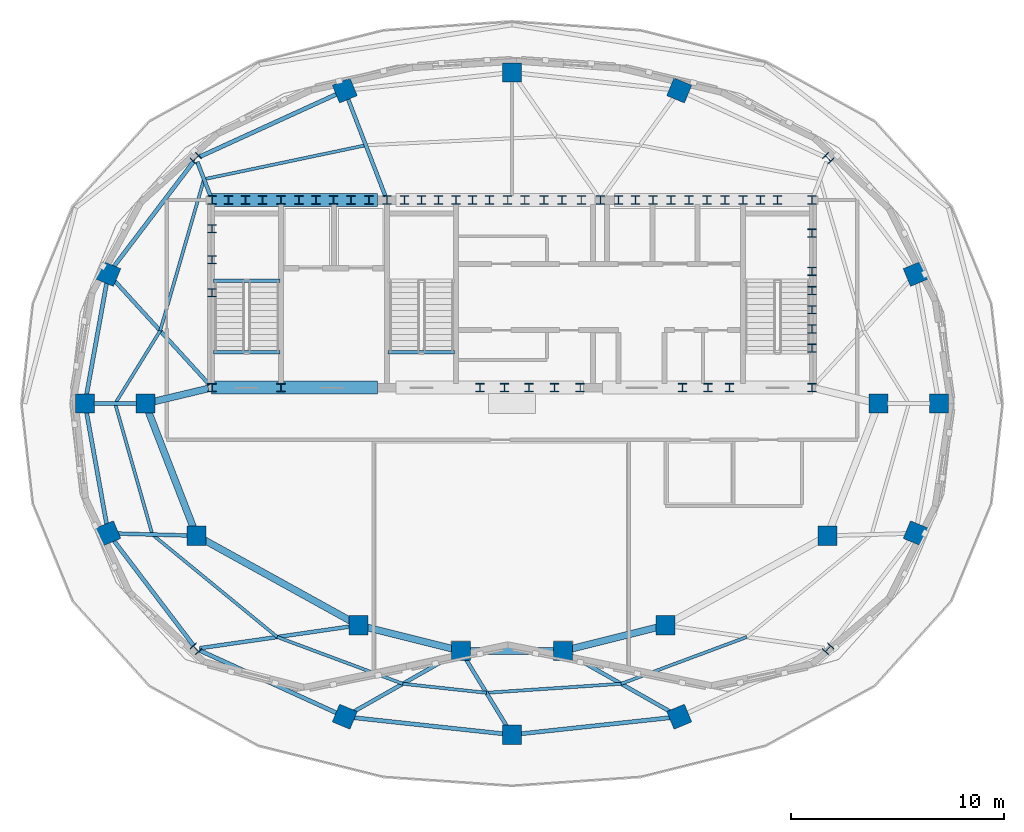
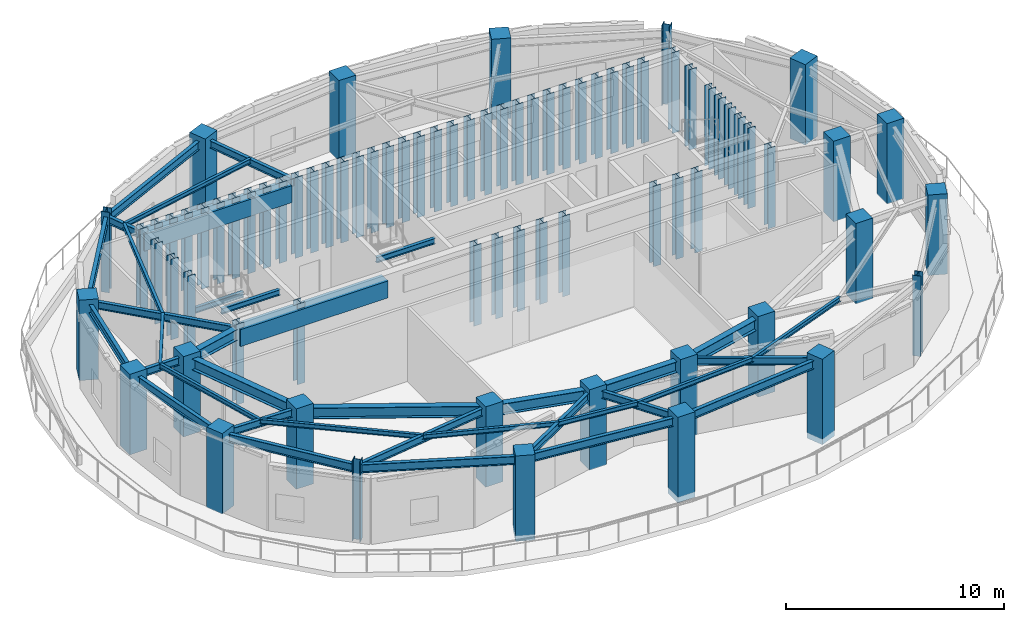
# One storey, part 1 of 8: 78 columns, 37 beams.
"""IFC4 building model written with IfcOpenShell, lengths in metres."""

from ifc_helpers import new_model, si_unit, direction, frame, origin, origin_2d, place, context, subcontext, project, spatial, rectangle, i_section, extrude, material, material_profile, profile_set, type_object, element, save


model = new_model("IFC4")

# Units and contexts
model_context = context("Model", 3, precision=1e-05, world=origin(), true_north=direction((0.0, 1.0)))
body_context = subcontext(model_context, "Body", "Model", "MODEL_VIEW")
ifc_project = project(units=[si_unit("LENGTHUNIT", "METRE"), si_unit("AREAUNIT", "SQUARE_METRE"), si_unit("VOLUMEUNIT", "CUBIC_METRE"), si_unit("PLANEANGLEUNIT", "RADIAN"), si_unit("MASSUNIT", "GRAM", prefix="KILO")], contexts=[model_context])

# Site, building, storey
site_placement = place(None, origin())
site = spatial("IfcSite", under=ifc_project, at=site_placement, CompositionType="ELEMENT")
building_placement = place(site_placement, origin())
building = spatial("IfcBuilding", under=site, at=building_placement, Name="Haldorwick Loom Tower", CompositionType="ELEMENT")
storey_placement = place(building_placement, frame((0.0, 0.0, 291.5)))
storey = spatial("IfcBuildingStorey", under=building, at=storey_placement, Name="L78", CompositionType="ELEMENT", Elevation=291.5)

# Columns
ifc_material_1 = material(Name="Concrete C50 (50 MPa)", Category="concrete")
ifc_material_profile_1 = material_profile(ifc_material_1, rectangle(XDim=0.89990234375, YDim=0.89990234375, at=origin_2d()), Name="RC900X900", Category="concrete")
ifc_profile_set_1 = profile_set([ifc_material_profile_1], Name="Concrete C50 (50 MPa)")
column_type_1 = type_object("IfcColumnType", Name="STR-COL-RC900", PredefinedType="COLUMN", material=ifc_profile_set_1)
for number, where, z_axis, x_axis, name in (
    (1, (53.199951171875, 26.0, 0.0), (0.0, 0.0, 1.0), (1.0, 0.0, 0.0), "L78 Inner Column IC-01"),
    (2, (50.800048828125, 19.800048828125, 0.0), (0.0, 0.0, 1.0), (1.0, 0.0, 0.0), "L78 Inner Column IC-02"),
    (3, (43.199951171875, 15.60009765625, 0.0), (0.0, 0.0, 1.0), (1.0, 0.0, 0.0), "L78 Inner Column IC-03"),
    (4, (38.39990234375, 14.39990234375, 0.0), (0.0, 0.0, 1.0), (1.0, 0.0, 0.0), "L78 Inner Column IC-04"),
    (5, (33.60009765625, 14.39990234375, 0.0), (0.0, 0.0, 1.0), (1.0, 0.0, 0.0), "L78 Inner Column IC-05"),
    (6, (28.800048828125, 15.60009765625, 0.0), (0.0, 0.0, 1.0), (1.0, 0.0, 0.0), "L78 Inner Column IC-06"),
    (7, (21.199951171875, 19.800048828125, 0.0), (0.0, 0.0, 1.0), (1.0, 0.0, 0.0), "L78 Inner Column IC-07"),
    (8, (18.800048828125, 26.0, 0.0), (0.0, 0.0, 1.0), (1.0, 0.0, 0.0), "L78 Inner Column IC-08"),
    (9, (56.03369140625, 26.0, 0.0), (0.0, 0.0, 1.0), (1.0, 0.0, 0.0), "L78 Perimeter Pier Column P01"),
    (10, (54.939453125, 32.084716796875, 0.0), (0.0, 0.0, 1.0), (0.923879532511, 0.382683432365, 0.0), "L78 Perimeter Pier Column P02"),
    (11, (43.844970703125, 40.689697265625, 0.0), (0.0, 0.0, 1.0), (0.382683432365, 0.923879532511, 0.0), "L78 Perimeter Pier Column P04"),
    (12, (36.0, 41.534912109375, 0.0), (0.0, 0.0, 1.0), (0.0, 1.0, 0.0), "L78 Perimeter Pier Column P05"),
    (13, (28.155029296875, 40.689697265625, 0.0), (0.0, 0.0, 1.0), (-0.382683432365, 0.923879532511, 0.0), "L78 Perimeter Pier Column P06"),
    (14, (17.060546875, 32.084716796875, 0.0), (0.0, 0.0, 1.0), (-0.923879532511, 0.382683432365, 0.0), "L78 Perimeter Pier Column P08"),
    (15, (15.96630859375, 26.0, 0.0), (0.0, 0.0, 1.0), (-1.0, 0.0, 0.0), "L78 Perimeter Pier Column P09"),
    (16, (17.060546875, 19.915283203125, 0.0), (0.0, 0.0, 1.0), (-0.923879532511, -0.382683432365, 0.0), "L78 Perimeter Pier Column P10"),
):
    element("IfcColumn", number, at=place(storey_placement, frame(where, z_axis=z_axis, x_axis=x_axis)), inside=storey, type_object=column_type_1, Name=name, PredefinedType="COLUMN", context=body_context, shape_type="SweptSolid", body=[
        extrude(rectangle(XDim=0.89990234375, YDim=0.89990234375, at=origin_2d()), origin(), (0.0, 0.0, 1.0), 4.5),
    ])
for number, where, z_axis, x_axis, name in (
    (17, (28.155029296875, 11.310302734375, -0.280029296875), (0.0, 0.0, 1.0), (-0.382683432365, -0.923879532511, 0.0), "L78 Perimeter Pier Column P12"),
    (18, (36.0, 10.465087890625, -0.280029296875), (0.0, 0.0, 1.0), (0.0, -1.0, 0.0), "L78 Perimeter Pier Column P13"),
    (19, (43.844970703125, 11.310302734375, -0.280029296875), (0.0, 0.0, 1.0), (0.382683432365, -0.923879532511, 0.0), "L78 Perimeter Pier Column P14"),
):
    element("IfcColumn", number, at=place(storey_placement, frame(where, z_axis=z_axis, x_axis=x_axis)), inside=storey, type_object=column_type_1, Name=name, PredefinedType="COLUMN", context=body_context, shape_type="SweptSolid", body=[
        extrude(rectangle(XDim=0.89990234375, YDim=0.89990234375, at=origin_2d()), origin(), (0.0, 0.0, 1.0), 4.780029296875),
    ])
column_placement = place(storey_placement, frame((54.939453125, 19.915283203125, 0.0), z_axis=(0.0, 0.0, 1.0), x_axis=(0.923879532511, -0.382683432365, 0.0)))
element("IfcColumn", 20, at=column_placement, inside=storey, type_object=column_type_1, Name="L78 Perimeter Pier Column P16", PredefinedType="COLUMN", context=body_context, shape_type="SweptSolid", body=[
    extrude(rectangle(XDim=0.89990234375, YDim=0.89990234375, at=origin_2d()), origin(), (0.0, 0.0, 1.0), 4.5),
])
ifc_material_2 = material(Name="Steel CSA G40.21 350W", Category="steel")
ifc_material_profile_2 = material_profile(ifc_material_2, i_section(OverallWidth=0.39892578125, OverallDepth=0.39306640625, WebThickness=0.0185546875, FlangeThickness=0.029541015625, at=origin_2d()), Name="W360X287", Category="steel")
ifc_profile_set_2 = profile_set([ifc_material_profile_2], Name="Steel CSA G40.21 350W")
column_type_2 = type_object("IfcColumnType", Name="STR-COL-W360X287", PredefinedType="COLUMN", material=ifc_profile_set_2)
for number, where, z_axis, x_axis, name in (
    (21, (21.929931640625, 35.550048828125, 0.0), (0.0, 0.0, 1.0), (1.0, 0.0, 0.0), "L78 Core Pilaster CB-01"),
    (22, (23.5, 35.550048828125, 0.0), (0.0, 0.0, 1.0), (1.0, 0.0, 0.0), "L78 Core Pilaster CB-02"),
    (23, (25.169921875, 35.550048828125, 0.0), (0.0, 0.0, 1.0), (1.0, 0.0, 0.0), "L78 Core Pilaster CB-03"),
    (24, (26.800048828125, 35.550048828125, 0.0), (0.0, 0.0, 1.0), (1.0, 0.0, 0.0), "L78 Core Pilaster CB-04"),
    (25, (28.449951171875, 35.550048828125, 0.0), (0.0, 0.0, 1.0), (1.0, 0.0, 0.0), "L78 Core Pilaster CB-05"),
    (26, (30.1298828125, 35.550048828125, 0.0), (0.0, 0.0, 1.0), (1.0, 0.0, 0.0), "L78 Core Pilaster CB-06"),
    (27, (31.75, 35.550048828125, 0.0), (0.0, 0.0, 1.0), (1.0, 0.0, 0.0), "L78 Core Pilaster CB-07"),
    (28, (33.3701171875, 35.550048828125, 0.0), (0.0, 0.0, 1.0), (1.0, 0.0, 0.0), "L78 Core Pilaster CB-08"),
    (29, (34.949951171875, 35.550048828125, 0.0), (0.0, 0.0, 1.0), (1.0, 0.0, 0.0), "L78 Core Pilaster CB-09"),
    (30, (36.60009765625, 35.550048828125, 0.0), (0.0, 0.0, 1.0), (1.0, 0.0, 0.0), "L78 Core Pilaster CB-10"),
    (31, (38.35009765625, 35.550048828125, 0.0), (0.0, 0.0, 1.0), (1.0, 0.0, 0.0), "L78 Core Pilaster CB-11"),
    (32, (40.14990234375, 35.550048828125, 0.0), (0.0, 0.0, 1.0), (1.0, 0.0, 0.0), "L78 Core Pilaster CB-12"),
    (33, (41.800048828125, 35.550048828125, 0.0), (0.0, 0.0, 1.0), (1.0, 0.0, 0.0), "L78 Core Pilaster CB-13"),
    (34, (43.449951171875, 35.550048828125, 0.0), (0.0, 0.0, 1.0), (1.0, 0.0, 0.0), "L78 Core Pilaster CB-14"),
    (35, (45.14990234375, 35.550048828125, 0.0), (0.0, 0.0, 1.0), (1.0, 0.0, 0.0), "L78 Core Pilaster CB-15"),
    (36, (46.830078125, 35.550048828125, 0.0), (0.0, 0.0, 1.0), (1.0, 0.0, 0.0), "L78 Core Pilaster CB-16"),
    (37, (48.449951171875, 35.550048828125, 0.0), (0.0, 0.0, 1.0), (1.0, 0.0, 0.0), "L78 Core Pilaster CB-17"),
    (38, (50.070068359375, 35.550048828125, 0.0), (0.0, 0.0, 1.0), (1.0, 0.0, 0.0), "L78 Core Pilaster CB-18"),
    (39, (21.929931640625, 26.75, 0.0), (0.0, 0.0, 1.0), (1.0, 0.0, 0.0), "L78 Core Pilaster CB-19"),
    (40, (25.169921875, 26.75, 0.0), (0.0, 0.0, 1.0), (1.0, 0.0, 0.0), "L78 Core Pilaster CB-20"),
    (41, (34.5, 26.75, 0.0), (0.0, 0.0, 1.0), (1.0, 0.0, 0.0), "L78 Core Pilaster CB-21"),
    (42, (36.800048828125, 26.75, 0.0), (0.0, 0.0, 1.0), (1.0, 0.0, 0.0), "L78 Core Pilaster CB-22"),
    (43, (39.199951171875, 26.75, 0.0), (0.0, 0.0, 1.0), (1.0, 0.0, 0.0), "L78 Core Pilaster CB-23"),
    (44, (45.199951171875, 26.75, 0.0), (0.0, 0.0, 1.0), (1.0, 0.0, 0.0), "L78 Core Pilaster CB-24"),
    (45, (50.070068359375, 26.75, 0.0), (0.0, 0.0, 1.0), (1.0, 0.0, 0.0), "L78 Core Pilaster CB-25"),
    (46, (21.929931640625, 31.199951171875, 0.0), (0.0, 0.0, 1.0), (1.0, 0.0, 0.0), "L78 Core Pilaster CB-26"),
    (47, (21.929931640625, 32.75, 0.0), (0.0, 0.0, 1.0), (1.0, 0.0, 0.0), "L78 Core Pilaster CB-27"),
    (48, (21.929931640625, 34.199951171875, 0.0), (0.0, 0.0, 1.0), (1.0, 0.0, 0.0), "L78 Core Pilaster CB-28"),
    (49, (50.070068359375, 28.60009765625, 0.0), (0.0, 0.0, 1.0), (1.0, 0.0, 0.0), "L78 Core Pilaster CB-29"),
    (50, (50.070068359375, 30.39990234375, 0.0), (0.0, 0.0, 1.0), (1.0, 0.0, 0.0), "L78 Core Pilaster CB-30"),
    (51, (50.070068359375, 32.199951171875, 0.0), (0.0, 0.0, 1.0), (1.0, 0.0, 0.0), "L78 Core Pilaster CB-31"),
    (52, (50.070068359375, 34.0, 0.0), (0.0, 0.0, 1.0), (1.0, 0.0, 0.0), "L78 Core Pilaster CB-32"),
    (53, (22.699951171875, 35.550048828125, 0.0), (0.0, 0.0, 1.0), (1.0, 0.0, 0.0), "L78 Core Pilaster CB-33"),
    (54, (27.6201171875, 35.550048828125, 0.0), (0.0, 0.0, 1.0), (1.0, 0.0, 0.0), "L78 Core Pilaster CB-34"),
    (55, (32.550048828125, 35.550048828125, 0.0), (0.0, 0.0, 1.0), (1.0, 0.0, 0.0), "L78 Core Pilaster CB-35"),
    (56, (37.5, 35.550048828125, 0.0), (0.0, 0.0, 1.0), (1.0, 0.0, 0.0), "L78 Core Pilaster CB-36"),
    (57, (42.6201171875, 35.550048828125, 0.0), (0.0, 0.0, 1.0), (1.0, 0.0, 0.0), "L78 Core Pilaster CB-37"),
    (58, (47.64990234375, 35.550048828125, 0.0), (0.0, 0.0, 1.0), (1.0, 0.0, 0.0), "L78 Core Pilaster CB-38"),
    (59, (24.300048828125, 35.550048828125, 0.0), (0.0, 0.0, 1.0), (1.0, 0.0, 0.0), "L78 Core Pilaster CB-39"),
    (60, (26.0, 35.550048828125, 0.0), (0.0, 0.0, 1.0), (1.0, 0.0, 0.0), "L78 Core Pilaster CB-40"),
    (61, (29.300048828125, 35.550048828125, 0.0), (0.0, 0.0, 1.0), (1.0, 0.0, 0.0), "L78 Core Pilaster CB-41"),
    (62, (30.949951171875, 35.550048828125, 0.0), (0.0, 0.0, 1.0), (1.0, 0.0, 0.0), "L78 Core Pilaster CB-42"),
    (63, (34.14990234375, 35.550048828125, 0.0), (0.0, 0.0, 1.0), (1.0, 0.0, 0.0), "L78 Core Pilaster CB-43"),
    (64, (35.800048828125, 35.550048828125, 0.0), (0.0, 0.0, 1.0), (1.0, 0.0, 0.0), "L78 Core Pilaster CB-44"),
    (65, (39.25, 35.550048828125, 0.0), (0.0, 0.0, 1.0), (1.0, 0.0, 0.0), "L78 Core Pilaster CB-45"),
    (66, (41.0, 35.550048828125, 0.0), (0.0, 0.0, 1.0), (1.0, 0.0, 0.0), "L78 Core Pilaster CB-46"),
    (67, (44.300048828125, 35.550048828125, 0.0), (0.0, 0.0, 1.0), (1.0, 0.0, 0.0), "L78 Core Pilaster CB-47"),
    (68, (46.0, 35.550048828125, 0.0), (0.0, 0.0, 1.0), (1.0, 0.0, 0.0), "L78 Core Pilaster CB-48"),
    (69, (50.070068359375, 29.5, 0.0), (0.0, 0.0, 1.0), (1.0, 0.0, 0.0), "L78 Core Pilaster CB-49"),
    (70, (50.070068359375, 31.300048828125, 0.0), (0.0, 0.0, 1.0), (1.0, 0.0, 0.0), "L78 Core Pilaster CB-50"),
    (71, (35.64990234375, 26.75, 0.0), (0.0, 0.0, 1.0), (1.0, 0.0, 0.0), "L78 Core Pilaster CB-51"),
    (72, (38.0, 26.75, 0.0), (0.0, 0.0, 1.0), (1.0, 0.0, 0.0), "L78 Core Pilaster CB-52"),
    (73, (44.0, 26.75, 0.0), (0.0, 0.0, 1.0), (1.0, 0.0, 0.0), "L78 Core Pilaster CB-53"),
    (74, (46.199951171875, 26.75, 0.0), (0.0, 0.0, 1.0), (1.0, 0.0, 0.0), "L78 Core Pilaster CB-54"),
    (75, (50.825439453125, 37.501220703125, 0.0), (0.0, 0.0, 1.0), (0.707106781187, 0.707106781187, 0.0), "L78 Perimeter Pier Column P03"),
    (76, (21.174560546875, 37.501220703125, 0.0), (0.0, 0.0, 1.0), (-0.707106781187, 0.707106781187, 0.0), "L78 Perimeter Pier Column P07"),
    (77, (21.174560546875, 14.498779296875, 0.0), (0.0, 0.0, 1.0), (-0.707106781187, -0.707106781187, 0.0), "L78 Perimeter Pier Column P11"),
    (78, (50.825439453125, 14.498779296875, 0.0), (0.0, 0.0, 1.0), (0.707106781187, -0.707106781187, 0.0), "L78 Perimeter Pier Column P15"),
):
    element("IfcColumn", number, at=place(storey_placement, frame(where, z_axis=z_axis, x_axis=x_axis)), inside=storey, type_object=column_type_2, Name=name, PredefinedType="COLUMN", context=body_context, shape_type="SweptSolid", body=[
        extrude(i_section(OverallWidth=0.39892578125, OverallDepth=0.39306640625, WebThickness=0.0185546875, FlangeThickness=0.029541015625, at=origin_2d()), origin(), (0.0, 0.0, 1.0), 4.5),
    ])

# Beams
ifc_material_profile_3 = material_profile(ifc_material_1, rectangle(XDim=0.60009765625, YDim=0.949951171875, at=origin_2d()), Name="RC600X950", Category="concrete")
ifc_profile_set_3 = profile_set([ifc_material_profile_3], Name="Concrete C50 (50 MPa)")
beam_type_1 = type_object("IfcBeamType", Name="STR-BM-CB950", PredefinedType="LINTEL", material=ifc_profile_set_3)
for number, where, z_axis, x_axis, name in (
    (79, (21.89990234375, 35.550048828125, 3.7451171875), (1.0, 0.0, 0.0), (0.0, 1.0, 0.0), "L78 Core Coupling Beam CB-N1"),
    (80, (21.89990234375, 26.75, 3.7451171875), (1.0, 0.0, 0.0), (0.0, 1.0, 0.0), "L78 Core Coupling Beam CB-S1"),
):
    element("IfcBeam", number, at=place(storey_placement, frame(where, z_axis=z_axis, x_axis=x_axis)), inside=storey, type_object=beam_type_1, Name=name, PredefinedType="LINTEL", context=body_context, shape_type="SweptSolid", body=[
        extrude(rectangle(XDim=0.60009765625, YDim=0.949951171875, at=origin_2d()), origin(), (0.0, 0.0, 1.0), 7.800048828125),
    ])
ifc_material_profile_4 = material_profile(ifc_material_2, i_section(OverallWidth=0.14599609375, OverallDepth=0.258056640625, WebThickness=0.006103515625, FlangeThickness=0.009033203125, at=origin_2d()), Name="W250X33", Category="steel")
ifc_profile_set_4 = profile_set([ifc_material_profile_4], Name="Steel CSA G40.21 350W")
beam_type_2 = type_object("IfcBeamType", Name="STR-BM-J250", PredefinedType="JOIST", material=ifc_profile_set_4)
beam_1_placement = place(storey_placement, frame((29.142578125, 38.119873046875, 4.091064453125), z_axis=(-0.978646531779, -0.205550397315, 0.0), x_axis=(0.205550397315, -0.978646531779, 0.0)))
element("IfcBeam", 81, at=beam_1_placement, inside=storey, type_object=beam_type_2, Name="L78 Mid-Bay Secondary Joist 6", PredefinedType="JOIST", context=body_context, shape_type="SweptSolid", body=[
    extrude(i_section(OverallWidth=0.14599609375, OverallDepth=0.258056640625, WebThickness=0.006103515625, FlangeThickness=0.009033203125, at=origin_2d()), origin(), (0.0, 0.0, 1.0), 7.755859375),
])
beam_2_placement = place(storey_placement, frame((21.55224609375, 36.525634765625, 4.091064453125), z_axis=(-0.27798758119, -0.96058466816, 0.0), x_axis=(0.96058466816, -0.27798758119, 0.0)))
element("IfcBeam", 82, at=beam_2_placement, inside=storey, type_object=beam_type_2, Name="L78 Mid-Bay Secondary Joist 7", PredefinedType="JOIST", context=body_context, shape_type="SweptSolid", body=[
    extrude(i_section(OverallWidth=0.14599609375, OverallDepth=0.258056640625, WebThickness=0.006103515625, FlangeThickness=0.009033203125, at=origin_2d()), origin(), (0.0, 0.0, 1.0), 7.400146484375),
])
beam_3_placement = place(storey_placement, frame((19.4951171875, 29.417236328125, 4.091064453125), z_axis=(-0.525703769437, -0.850667706452, 0.0), x_axis=(0.850667706452, -0.525703769437, 0.0)))
element("IfcBeam", 83, at=beam_3_placement, inside=storey, type_object=beam_type_2, Name="L78 Mid-Bay Secondary Joist 8", PredefinedType="JOIST", context=body_context, shape_type="SweptSolid", body=[
    extrude(i_section(OverallWidth=0.14599609375, OverallDepth=0.258056640625, WebThickness=0.006103515625, FlangeThickness=0.009033203125, at=origin_2d()), origin(), (0.0, 0.0, 1.0), 4.01708984375),
])
beam_4_placement = place(storey_placement, frame((17.38330078125, 26.0, 4.091064453125), z_axis=(0.273579780374, -0.961849314482, 0.0), x_axis=(0.961849314482, 0.273579780374, 0.0)))
element("IfcBeam", 84, at=beam_4_placement, inside=storey, type_object=beam_type_2, Name="L78 Mid-Bay Secondary Joist 9", PredefinedType="JOIST", context=body_context, shape_type="SweptSolid", body=[
    extrude(i_section(OverallWidth=0.14599609375, OverallDepth=0.258056640625, WebThickness=0.006103515625, FlangeThickness=0.009033203125, at=origin_2d()), origin(), (0.0, 0.0, 1.0), 6.385986328125),
])
beam_5_placement = place(storey_placement, frame((19.13037109375, 19.857666015625, 4.091064453125), z_axis=(0.772901177017, -0.634526414396, 0.0), x_axis=(0.634526414396, 0.772901177017, 0.0)))
element("IfcBeam", 85, at=beam_5_placement, inside=storey, type_object=beam_type_2, Name="L78 Mid-Bay Secondary Joist 10", PredefinedType="JOIST", context=body_context, shape_type="SweptSolid", body=[
    extrude(i_section(OverallWidth=0.14599609375, OverallDepth=0.258056640625, WebThickness=0.006103515625, FlangeThickness=0.009033203125, at=origin_2d()), origin(), (0.0, 0.0, 1.0), 7.577880859375),
])
beam_6_placement = place(storey_placement, frame((24.9873046875, 15.04931640625, 4.091064453125), z_axis=(0.937096315822, -0.349070902358, 0.0), x_axis=(0.349070902358, 0.937096315822, 0.0)))
element("IfcBeam", 86, at=beam_6_placement, inside=storey, type_object=beam_type_2, Name="L78 Mid-Bay Secondary Joist 11", PredefinedType="JOIST", context=body_context, shape_type="SweptSolid", body=[
    extrude(i_section(OverallWidth=0.14599609375, OverallDepth=0.258056640625, WebThickness=0.006103515625, FlangeThickness=0.009033203125, at=origin_2d()), origin(), (0.0, 0.0, 1.0), 6.285400390625),
])
beam_7_placement = place(storey_placement, frame((30.87744140625, 12.855224609375, 4.091064453125), z_axis=(0.994246477225, -0.107116490451, 0.0), x_axis=(0.107116490451, 0.994246477225, 0.0)))
element("IfcBeam", 87, at=beam_7_placement, inside=storey, type_object=beam_type_2, Name="L78 Mid-Bay Secondary Joist 12", PredefinedType="JOIST", context=body_context, shape_type="SweptSolid", body=[
    extrude(i_section(OverallWidth=0.14599609375, OverallDepth=0.258056640625, WebThickness=0.006103515625, FlangeThickness=0.009033203125, at=origin_2d()), origin(), (0.0, 0.0, 1.0), 3.9453125),
])
beam_8_placement = place(storey_placement, frame((34.800048828125, 12.4326171875, 4.091064453125), z_axis=(0.997773550047, 0.066692899376, 0.0), x_axis=(-0.066692899376, 0.997773550047, 0.0)))
element("IfcBeam", 88, at=beam_8_placement, inside=storey, type_object=beam_type_2, Name="L78 Mid-Bay Secondary Joist 13", PredefinedType="JOIST", context=body_context, shape_type="SweptSolid", body=[
    extrude(i_section(OverallWidth=0.14599609375, OverallDepth=0.258056640625, WebThickness=0.006103515625, FlangeThickness=0.009033203125, at=origin_2d()), origin(), (0.0, 0.0, 1.0), 6.336669921875),
])
beam_9_placement = place(storey_placement, frame((41.12255859375, 12.855224609375, 4.091064453125), z_axis=(0.937096315822, 0.349070902358, 0.0), x_axis=(-0.349070902358, 0.937096315822, 0.0)))
element("IfcBeam", 89, at=beam_9_placement, inside=storey, type_object=beam_type_2, Name="L78 Mid-Bay Secondary Joist 14", PredefinedType="JOIST", context=body_context, shape_type="SweptSolid", body=[
    extrude(i_section(OverallWidth=0.14599609375, OverallDepth=0.258056640625, WebThickness=0.006103515625, FlangeThickness=0.009033203125, at=origin_2d()), origin(), (0.0, 0.0, 1.0), 6.285400390625),
])
ifc_material_profile_5 = material_profile(ifc_material_2, i_section(OverallWidth=0.179931640625, OverallDepth=0.4130859375, WebThickness=0.009765625, FlangeThickness=0.01611328125, at=origin_2d()), Name="W410X74", Category="steel")
ifc_profile_set_5 = profile_set([ifc_material_profile_5], Name="Steel CSA G40.21 350W")
beam_type_3 = type_object("IfcBeamType", Name="STR-BM-J410", PredefinedType="JOIST", material=ifc_profile_set_5)
beam_10_placement = place(storey_placement, frame((30.068603515625, 35.710205078125, 4.013427734375), z_axis=(-0.358735811388, 0.933439134399, 0.0), x_axis=(-0.933439134399, -0.358735811388, 0.0)))
element("IfcBeam", 90, at=beam_10_placement, inside=storey, type_object=beam_type_3, Name="L78 Radial Floor Girder 6", PredefinedType="JOIST", context=body_context, shape_type="SweptSolid", body=[
    extrude(i_section(OverallWidth=0.179931640625, OverallDepth=0.4130859375, WebThickness=0.009765625, FlangeThickness=0.01611328125, at=origin_2d()), origin(), (0.0, 0.0, 1.0), 4.90966796875),
])
beam_11_placement = place(storey_placement, frame((21.8681640625, 35.7099609375, 4.013427734375), z_axis=(-0.361166360631, 0.932501399435, 0.0), x_axis=(-0.932501399435, -0.361166360631, 0.0)))
element("IfcBeam", 91, at=beam_11_placement, inside=storey, type_object=beam_type_3, Name="L78 Radial Floor Girder 7", PredefinedType="JOIST", context=body_context, shape_type="SweptSolid", body=[
    extrude(i_section(OverallWidth=0.179931640625, OverallDepth=0.4130859375, WebThickness=0.009765625, FlangeThickness=0.01611328125, at=origin_2d()), origin(), (0.0, 0.0, 1.0), 1.74951171875),
])
beam_12_placement = place(storey_placement, frame((21.814453125, 26.876708984375, 4.013427734375), z_axis=(-0.67419160998, 0.738556479243, 0.0), x_axis=(-0.738556479243, -0.67419160998, 0.0)))
element("IfcBeam", 92, at=beam_12_placement, inside=storey, type_object=beam_type_3, Name="L78 Radial Floor Girder 8", PredefinedType="JOIST", context=body_context, shape_type="SweptSolid", body=[
    extrude(i_section(OverallWidth=0.179931640625, OverallDepth=0.4130859375, WebThickness=0.009765625, FlangeThickness=0.01611328125, at=origin_2d()), origin(), (0.0, 0.0, 1.0), 6.62646484375),
])
beam_13_placement = place(storey_placement, frame((18.375, 26.0, 4.013427734375), z_axis=(-1.0, 0.0, 0.0), x_axis=(0.0, -1.0, 0.0)))
element("IfcBeam", 93, at=beam_13_placement, inside=storey, type_object=beam_type_3, Name="L78 Radial Floor Girder 9", PredefinedType="JOIST", context=body_context, shape_type="SweptSolid", body=[
    extrude(i_section(OverallWidth=0.179931640625, OverallDepth=0.4130859375, WebThickness=0.009765625, FlangeThickness=0.01611328125, at=origin_2d()), origin(), (0.0, 0.0, 1.0), 1.983642578125),
])
beam_14_placement = place(storey_placement, frame((20.775146484375, 19.811767578125, 4.013427734375), z_axis=(-0.999610923833, 0.02789266845, 0.0), x_axis=(-0.02789266845, -0.999610923833, 0.0)))
element("IfcBeam", 94, at=beam_14_placement, inside=storey, type_object=beam_type_3, Name="L78 Radial Floor Girder 10", PredefinedType="JOIST", context=body_context, shape_type="SweptSolid", body=[
    extrude(i_section(OverallWidth=0.179931640625, OverallDepth=0.4130859375, WebThickness=0.009765625, FlangeThickness=0.01611328125, at=origin_2d()), origin(), (0.0, 0.0, 1.0), 3.291015625),
])
beam_15_placement = place(storey_placement, frame((28.37939453125, 15.539306640625, 4.013427734375), z_axis=(-0.989729868718, -0.142950295447, 0.0), x_axis=(0.142950295447, -0.989729868718, 0.0)))
element("IfcBeam", 95, at=beam_15_placement, inside=storey, type_object=beam_type_3, Name="L78 Radial Floor Girder 11", PredefinedType="JOIST", context=body_context, shape_type="SweptSolid", body=[
    extrude(i_section(OverallWidth=0.179931640625, OverallDepth=0.4130859375, WebThickness=0.009765625, FlangeThickness=0.01611328125, at=origin_2d()), origin(), (0.0, 0.0, 1.0), 7.108154296875),
])
beam_16_placement = place(storey_placement, frame((33.23046875, 14.190185546875, 4.013427734375), z_axis=(-0.869741403269, -0.493507742026, 0.0), x_axis=(0.493507742026, -0.869741403269, 0.0)))
element("IfcBeam", 96, at=beam_16_placement, inside=storey, type_object=beam_type_3, Name="L78 Radial Floor Girder 12", PredefinedType="JOIST", context=body_context, shape_type="SweptSolid", body=[
    extrude(i_section(OverallWidth=0.179931640625, OverallDepth=0.4130859375, WebThickness=0.009765625, FlangeThickness=0.01611328125, at=origin_2d()), origin(), (0.0, 0.0, 1.0), 5.41064453125),
])
beam_17_placement = place(storey_placement, frame((33.8212890625, 14.037109375, 4.013427734375), z_axis=(0.520737901846, -0.853716602615, 0.0), x_axis=(0.853716602615, 0.520737901846, 0.0)))
element("IfcBeam", 97, at=beam_17_placement, inside=storey, type_object=beam_type_3, Name="L78 Radial Floor Girder 13", PredefinedType="JOIST", context=body_context, shape_type="SweptSolid", body=[
    extrude(i_section(OverallWidth=0.179931640625, OverallDepth=0.4130859375, WebThickness=0.009765625, FlangeThickness=0.01611328125, at=origin_2d()), origin(), (0.0, 0.0, 1.0), 3.759033203125),
])
beam_18_placement = place(storey_placement, frame((38.76953125, 14.190185546875, 4.013427734375), z_axis=(0.869741403269, -0.493507742026, 0.0), x_axis=(0.493507742026, 0.869741403269, 0.0)))
element("IfcBeam", 98, at=beam_18_placement, inside=storey, type_object=beam_type_3, Name="L78 Radial Floor Girder 14", PredefinedType="JOIST", context=body_context, shape_type="SweptSolid", body=[
    extrude(i_section(OverallWidth=0.179931640625, OverallDepth=0.4130859375, WebThickness=0.009765625, FlangeThickness=0.01611328125, at=origin_2d()), origin(), (0.0, 0.0, 1.0), 5.41064453125),
])
ifc_material_profile_6 = material_profile(ifc_material_2, i_section(OverallWidth=0.193115234375, OverallDepth=0.466064453125, WebThickness=0.011474609375, FlangeThickness=0.01904296875, at=origin_2d()), Name="W460X97", Category="steel")
ifc_profile_set_6 = profile_set([ifc_material_profile_6], Name="Steel CSA G40.21 350W")
beam_type_4 = type_object("IfcBeamType", Name="STR-BM-SP460", PredefinedType="SPANDREL", material=ifc_profile_set_6)
beam_19_placement = place(storey_placement, frame((27.768310546875, 40.51318359375, 3.987060546875), z_axis=(-0.909597043303, -0.415491538799, 0.0), x_axis=(0.415491538799, -0.909597043303, 0.0)))
element("IfcBeam", 99, at=beam_19_placement, inside=storey, type_object=beam_type_4, Name="L78 Perimeter Spandrel 6", PredefinedType="SPANDREL", context=body_context, shape_type="SweptSolid", body=[
    extrude(i_section(OverallWidth=0.193115234375, OverallDepth=0.466064453125, WebThickness=0.011474609375, FlangeThickness=0.01904296875, at=origin_2d()), origin(), (0.0, 0.0, 1.0), 7.07763671875),
])
beam_20_placement = place(storey_placement, frame((21.07080078125, 37.364501953125, 3.987060546875), z_axis=(-0.604848808079, -0.796340328858, 0.0), x_axis=(0.796340328858, -0.604848808079, 0.0)))
element("IfcBeam", 100, at=beam_20_placement, inside=storey, type_object=beam_type_4, Name="L78 Perimeter Spandrel 7", PredefinedType="SPANDREL", context=body_context, shape_type="SweptSolid", body=[
    extrude(i_section(OverallWidth=0.193115234375, OverallDepth=0.466064453125, WebThickness=0.011474609375, FlangeThickness=0.01904296875, at=origin_2d()), origin(), (0.0, 0.0, 1.0), 6.205078125),
])
for number, where, z_axis, x_axis, name in (
    (101, (16.9853515625, 31.66650390625, 3.987060546875), (-0.176999556218, -0.984210931202, 0.0), (0.984210931202, -0.176999556218, 0.0), "L78 Perimeter Spandrel 8"),
    (102, (16.04150390625, 25.581787109375, 3.987060546875), (0.176999556218, -0.984210931202, 0.0), (0.984210931202, 0.176999556218, 0.0), "L78 Perimeter Spandrel 9"),
):
    element("IfcBeam", number, at=place(storey_placement, frame(where, z_axis=z_axis, x_axis=x_axis)), inside=storey, type_object=beam_type_4, Name=name, PredefinedType="SPANDREL", context=body_context, shape_type="SweptSolid", body=[
        extrude(i_section(OverallWidth=0.193115234375, OverallDepth=0.466064453125, WebThickness=0.011474609375, FlangeThickness=0.01904296875, at=origin_2d()), origin(), (0.0, 0.0, 1.0), 5.33251953125),
    ])
beam_21_placement = place(storey_placement, frame((17.317626953125, 19.576904296875, 3.987060546875), z_axis=(0.604848808079, -0.796340328858, 0.0), x_axis=(0.796340328858, 0.604848808079, 0.0)))
element("IfcBeam", 103, at=beam_21_placement, inside=storey, type_object=beam_type_4, Name="L78 Perimeter Spandrel 10", PredefinedType="SPANDREL", context=body_context, shape_type="SweptSolid", body=[
    extrude(i_section(OverallWidth=0.193115234375, OverallDepth=0.466064453125, WebThickness=0.011474609375, FlangeThickness=0.01904296875, at=origin_2d()), origin(), (0.0, 0.0, 1.0), 6.205078125),
])
beam_22_placement = place(storey_placement, frame((21.33056640625, 14.427490234375, 3.987060546875), z_axis=(0.909597043303, -0.415491538799, 0.0), x_axis=(0.415491538799, 0.909597043303, 0.0)))
element("IfcBeam", 104, at=beam_22_placement, inside=storey, type_object=beam_type_4, Name="L78 Perimeter Spandrel 11", PredefinedType="SPANDREL", context=body_context, shape_type="SweptSolid", body=[
    extrude(i_section(OverallWidth=0.193115234375, OverallDepth=0.466064453125, WebThickness=0.011474609375, FlangeThickness=0.01904296875, at=origin_2d()), origin(), (0.0, 0.0, 1.0), 7.07763671875),
])
for number, where, z_axis, x_axis, name in (
    (105, (28.57763671875, 11.264892578125, 3.987060546875), (0.994246141162, -0.107119609712, 0.0), (0.107119609712, 0.994246141162, 0.0), "L78 Perimeter Spandrel 12"),
    (106, (36.422607421875, 10.5107421875, 3.987060546875), (0.994246141162, 0.107119609712, 0.0), (-0.107119609712, 0.994246141162, 0.0), "L78 Perimeter Spandrel 13"),
):
    element("IfcBeam", number, at=place(storey_placement, frame(where, z_axis=z_axis, x_axis=x_axis)), inside=storey, type_object=beam_type_4, Name=name, PredefinedType="SPANDREL", context=body_context, shape_type="SweptSolid", body=[
        extrude(i_section(OverallWidth=0.193115234375, OverallDepth=0.466064453125, WebThickness=0.011474609375, FlangeThickness=0.01904296875, at=origin_2d()), origin(), (0.0, 0.0, 1.0), 7.040283203125),
    ])
ifc_material_profile_7 = material_profile(ifc_material_2, i_section(OverallWidth=0.166015625, OverallDepth=0.31298828125, WebThickness=0.006591796875, FlangeThickness=0.01123046875, at=origin_2d()), Name="W310X45", Category="steel")
ifc_profile_set_7 = profile_set([ifc_material_profile_7], Name="Steel CSA G40.21 350W")
beam_type_5 = type_object("IfcBeamType", Name="STR-BM-STRM", PredefinedType="BEAM", material=ifc_profile_set_7)
for number, where, z_axis, x_axis, name in (
    (107, (21.989990234375, 28.39990234375, 4.0634765625), (1.0, 0.0, 0.0), (0.0, 1.0, 0.0), "L78 Stair ST-01 Landing Edge Trimmer"),
    (108, (21.989990234375, 31.760009765625, 1.8935546875), (1.0, 0.0, 0.0), (0.0, 1.0, 0.0), "L78 Stair ST-01 Half-Landing Trimmer 1"),
    (109, (30.18994140625, 28.39990234375, 4.0634765625), (1.0, 0.0, 0.0), (0.0, 1.0, 0.0), "L78 Stair ST-03 Landing Edge Trimmer"),
):
    element("IfcBeam", number, at=place(storey_placement, frame(where, z_axis=z_axis, x_axis=x_axis)), inside=storey, type_object=beam_type_5, Name=name, PredefinedType="BEAM", context=body_context, shape_type="SweptSolid", body=[
        extrude(i_section(OverallWidth=0.166015625, OverallDepth=0.31298828125, WebThickness=0.006591796875, FlangeThickness=0.01123046875, at=origin_2d()), origin(), (0.0, 0.0, 1.0), 3.1201171875),
    ])
ifc_material_profile_8 = material_profile(ifc_material_2, i_section(OverallWidth=0.324951171875, OverallDepth=0.615966796875, WebThickness=0.013916015625, FlangeThickness=0.021484375, at=origin_2d()), Name="W610X174", Category="steel")
ifc_profile_set_8 = profile_set([ifc_material_profile_8], Name="Steel CSA G40.21 350W")
beam_type_6 = type_object("IfcBeamType", Name="STR-BM-W610A", PredefinedType="BEAM", material=ifc_profile_set_8)
beam_23_placement = place(storey_placement, frame((42.78759765625, 15.496826171875, 3.912109375), z_axis=(-0.97015301348, -0.242493567823, 0.0), x_axis=(0.242493567823, -0.97015301348, 0.0)))
element("IfcBeam", 110, at=beam_23_placement, inside=storey, type_object=beam_type_6, Name="L78 Inner Ring Girder 4", PredefinedType="BEAM", context=body_context, shape_type="SweptSolid", body=[
    extrude(i_section(OverallWidth=0.324951171875, OverallDepth=0.615966796875, WebThickness=0.013916015625, FlangeThickness=0.021484375, at=origin_2d()), origin(), (0.0, 0.0, 1.0), 4.09765625),
])
beam_24_placement = place(storey_placement, frame((37.97509765625, 14.39990234375, 3.912109375), z_axis=(-1.0, 0.0, 0.0), x_axis=(0.0, -1.0, 0.0)))
element("IfcBeam", 111, at=beam_24_placement, inside=storey, type_object=beam_type_6, Name="L78 Inner Ring Girder 5", PredefinedType="BEAM", context=body_context, shape_type="SweptSolid", body=[
    extrude(i_section(OverallWidth=0.324951171875, OverallDepth=0.615966796875, WebThickness=0.013916015625, FlangeThickness=0.021484375, at=origin_2d()), origin(), (0.0, 0.0, 1.0), 3.9501953125),
])
beam_25_placement = place(storey_placement, frame((33.187744140625, 14.503173828125, 3.912109375), z_axis=(-0.97015301348, 0.242493567823, 0.0), x_axis=(-0.242493567823, -0.97015301348, 0.0)))
element("IfcBeam", 112, at=beam_25_placement, inside=storey, type_object=beam_type_6, Name="L78 Inner Ring Girder 6", PredefinedType="BEAM", context=body_context, shape_type="SweptSolid", body=[
    extrude(i_section(OverallWidth=0.324951171875, OverallDepth=0.615966796875, WebThickness=0.013916015625, FlangeThickness=0.021484375, at=origin_2d()), origin(), (0.0, 0.0, 1.0), 4.09765625),
])
beam_26_placement = place(storey_placement, frame((28.427978515625, 15.8056640625, 3.912109375), z_axis=(-0.875241535439, 0.48368611169, 0.0), x_axis=(-0.48368611169, -0.875241535439, 0.0)))
element("IfcBeam", 113, at=beam_26_placement, inside=storey, type_object=beam_type_6, Name="L78 Inner Ring Girder 7", PredefinedType="BEAM", context=body_context, shape_type="SweptSolid", body=[
    extrude(i_section(OverallWidth=0.324951171875, OverallDepth=0.615966796875, WebThickness=0.013916015625, FlangeThickness=0.021484375, at=origin_2d()), origin(), (0.0, 0.0, 1.0), 7.833251953125),
])
beam_27_placement = place(storey_placement, frame((21.046630859375, 20.1962890625, 3.912109375), z_axis=(-0.361001189766, 0.932565354808, 0.0), x_axis=(-0.932565354808, -0.361001189766, 0.0)))
element("IfcBeam", 114, at=beam_27_placement, inside=storey, type_object=beam_type_6, Name="L78 Inner Ring Girder 8", PredefinedType="BEAM", context=body_context, shape_type="SweptSolid", body=[
    extrude(i_section(OverallWidth=0.324951171875, OverallDepth=0.615966796875, WebThickness=0.013916015625, FlangeThickness=0.021484375, at=origin_2d()), origin(), (0.0, 0.0, 1.0), 5.798583984375),
])
beam_28_placement = place(storey_placement, frame((19.21337890625, 26.09912109375, 3.912109375), z_axis=(0.972483573168, 0.232971457302, 0.0), x_axis=(-0.232971457302, 0.972483573168, 0.0)))
element("IfcBeam", 115, at=beam_28_placement, inside=storey, type_object=beam_type_6, Name="L78 Inner Ring Girder 9", PredefinedType="BEAM", context=body_context, shape_type="SweptSolid", body=[
    extrude(i_section(OverallWidth=0.324951171875, OverallDepth=0.615966796875, WebThickness=0.013916015625, FlangeThickness=0.021484375, at=origin_2d()), origin(), (0.0, 0.0, 1.0), 2.6220703125),
])

save(model, "model.ifc")
